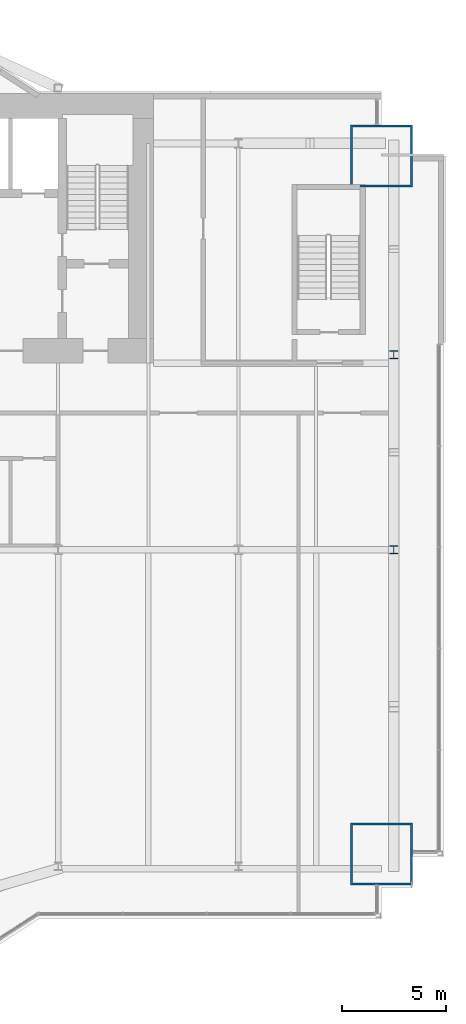
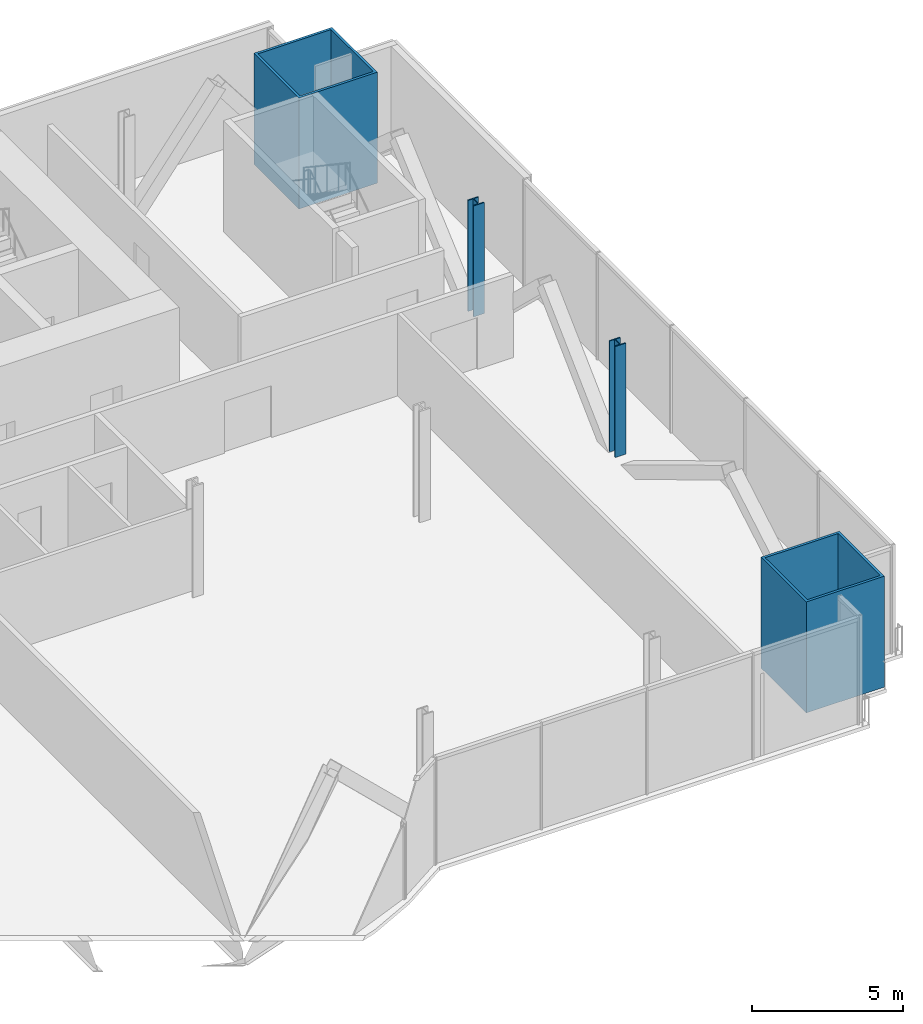
# One storey, part 3 of 21: 4 columns.
"""IFC4 building model written with IfcOpenShell, lengths in metres."""

import ifcopenshell
import ifcopenshell.guid

model = None  # the IFC model being written
_history = None  # IfcOwnerHistory: only IFC2X3 demands one
_inside = {}  # id of a spatial element -> (the spatial element, [elements in it])
_under = {}  # id of a project, library or spatial element -> (it, [spatial elements below it])
_declared = {}  # id of a project -> (the project, [libraries it declares])
_typed = {}  # id of a type object -> (the type object, [elements of that type])
_made_of = {}  # id of a material, layer set ... -> (it, [elements and type objects made of it])


def new_model(schema):
    """Start an empty IFC model of exactly this schema.

    Asked for "IFC4X3", IfcOpenShell would pick the latest addendum, in which some entities
    have other attributes; the version numbers below select the first issue.
    IFC2X3 requires an IfcOwnerHistory on every rooted entity: one is made here for all.
    """
    global model, _history
    if schema == "IFC4X3":
        model = ifcopenshell.file(schema_version=(4, 3, 0, 0))
    else:
        model = ifcopenshell.file(schema=schema)
    _inside.clear()
    _under.clear()
    _declared.clear()
    _typed.clear()
    _made_of.clear()
    _history = None
    if model.schema == "IFC2X3":
        org = make("IfcOrganization", Name="unknown")
        user = make(
            "IfcPersonAndOrganization",
            ThePerson=make("IfcPerson", FamilyName="unknown"),
            TheOrganization=org,
        )
        app = make(
            "IfcApplication",
            ApplicationDeveloper=org,
            Version="unknown",
            ApplicationFullName="unknown",
            ApplicationIdentifier="unknown",
        )
        _history = make(
            "IfcOwnerHistory",
            OwningUser=user,
            OwningApplication=app,
            ChangeAction="ADDED",
            CreationDate=0,
        )
    return model


def make(cls, **values):
    """One entity of the class cls with the attributes given. An attribute that is None is left unset."""
    return model.create_entity(
        cls, **{name: value for name, value in values.items() if value is not None}
    )


def rooted(cls, **values):
    """An entity with a GlobalId (a new one), such as an element, a storey or a relation."""
    return make(cls, GlobalId=ifcopenshell.guid.new(), OwnerHistory=_history, **values)


def si_unit(unit_type, name, prefix=None):
    """IfcSIUnit, for example si_unit("LENGTHUNIT", "METRE", prefix="MILLI")."""
    return make("IfcSIUnit", UnitType=unit_type, Prefix=prefix, Name=name)


def assignment(units):
    """IfcUnitAssignment: the units of a project."""
    return None if units is None else make("IfcUnitAssignment", Units=units)


def point(xyz):
    """IfcCartesianPoint."""
    return None if xyz is None else make("IfcCartesianPoint", Coordinates=xyz)


def direction(xyz):
    """IfcDirection."""
    return None if xyz is None else make("IfcDirection", DirectionRatios=xyz)


def frame(location, z_axis=None, x_axis=None):
    """IfcAxis2Placement3D, a coordinate frame: its origin and axes. An axis left out is left unset."""
    return make(
        "IfcAxis2Placement3D",
        Location=point(location),
        Axis=direction(z_axis),
        RefDirection=direction(x_axis),
    )


def frame_2d(location, x_axis=None):
    """IfcAxis2Placement2D, a coordinate frame in the plane: its origin and x axis."""
    return make(
        "IfcAxis2Placement2D", Location=point(location), RefDirection=direction(x_axis)
    )


def origin():
    """The frame at (0, 0, 0) with its axes left unset."""
    return frame((0.0, 0.0, 0.0))


def origin_2d():
    """The frame at (0, 0) in the plane with its x axis left unset."""
    return frame_2d((0.0, 0.0))


def place(relative_to, where):
    """IfcLocalPlacement: puts the frame where relative to a parent placement (None: the world)."""
    return make(
        "IfcLocalPlacement", PlacementRelTo=relative_to, RelativePlacement=where
    )


def context(
    kind, dimensions, precision=None, world=None, true_north=None, identifier=None
):
    """IfcGeometricRepresentationContext, for example the 3D "Model" context."""
    return make(
        "IfcGeometricRepresentationContext",
        ContextIdentifier=identifier,
        ContextType=kind,
        CoordinateSpaceDimension=dimensions,
        Precision=precision,
        WorldCoordinateSystem=world,
        TrueNorth=true_north,
    )


def subcontext(parent, identifier, kind, view, scale=None):
    """IfcGeometricRepresentationSubContext, for example "Body" below "Model"."""
    return make(
        "IfcGeometricRepresentationSubContext",
        ContextIdentifier=identifier,
        ContextType=kind,
        ParentContext=parent,
        TargetScale=scale,
        TargetView=view,
    )


def project(units=None, contexts=None):
    """IfcProject with its units and contexts."""
    return rooted(
        "IfcProject",
        Name="project",
        RepresentationContexts=contexts,
        UnitsInContext=assignment(units),
    )


def spatial(cls, under=None, at=None, **own):
    """A site, building, storey or space (cls), placed at a placement, below another one or the project."""
    s = rooted(cls, ObjectPlacement=at, **own)
    if under is not None:
        _under.setdefault(under.id(), (under, []))[1].append(s)
    return s


def profile(cls, at=None, kind="AREA", **sizes):
    """A parametric profile (cls). Its sizes go by their IFC names, for example OverallWidth=200.0."""
    return make(cls, ProfileType=kind, Position=at, **sizes)


def hollow_rectangle(**sizes):
    """IfcRectangleHollowProfileDef."""
    return profile("IfcRectangleHollowProfileDef", **sizes)


def i_section(**sizes):
    """IfcIShapeProfileDef."""
    return profile("IfcIShapeProfileDef", **sizes)


def extrude(swept, where, along, depth):
    """IfcExtrudedAreaSolid: the profile swept, set in the frame where, extruded along a direction by depth."""
    return make(
        "IfcExtrudedAreaSolid",
        SweptArea=swept,
        Position=where,
        ExtrudedDirection=direction(along),
        Depth=depth,
    )


def shape(context_of_items, identifier, shape_type, items):
    """IfcShapeRepresentation: the items that make up one representation, for example the "Body"."""
    return make(
        "IfcShapeRepresentation",
        ContextOfItems=context_of_items,
        RepresentationIdentifier=identifier,
        RepresentationType=shape_type,
        Items=items,
    )


def material(Name=None, Category=None):
    """IfcMaterial."""
    return make("IfcMaterial", Name=Name, Category=Category)


def material_profile(
    of_material, cross_section, Name=None, Category=None, Priority=None
):
    """IfcMaterialProfile: a cross section and its material."""
    return make(
        "IfcMaterialProfile",
        Name=Name,
        Material=of_material,
        Profile=cross_section,
        Priority=Priority,
        Category=Category,
    )


def profile_set(profiles, Name=None, composite=None):
    """IfcMaterialProfileSet."""
    return make(
        "IfcMaterialProfileSet",
        Name=Name,
        MaterialProfiles=profiles,
        CompositeProfile=composite,
    )


def made_of(thing, what):
    """Note that an element or type object is made of a material, layer set ...; save() writes the relation."""
    if what is not None:
        _made_of.setdefault(what.id(), (what, []))[1].append(thing)
    return thing


def type_object(cls, material=None, **own):
    """A type object (cls), such as IfcWallType, which elements share."""
    return made_of(rooted(cls, **own), material)


def element(
    cls,
    number,
    at=None,
    inside=None,
    cuts=None,
    type_object=None,
    material=None,
    context=None,
    identifier="Body",
    shape_type=None,
    held_by="IfcProductDefinitionShape",
    body=None,
    shapes=None,
    **own,
):
    """One element of the class cls, such as IfcWall. Its Tag is "e" and its number.

    at: its placement. inside: the storey or other place that contains it. cuts: it is an
    opening in that element (IfcRelVoidsElement). A single representation is given by context,
    identifier, shape_type and body (its items); several are given by shapes. held_by: the class
    of the entity that holds the representations. save() writes the other relations.
    """
    e = rooted(cls, Tag="e%d" % number, ObjectPlacement=at, **own)
    if body is not None:
        shapes = [shape(context, identifier, shape_type, body)]
    if shapes is not None:
        e.Representation = make(held_by, Representations=shapes)
    if inside is not None:
        _inside.setdefault(inside.id(), (inside, []))[1].append(e)
    if cuts is not None:
        rooted(
            "IfcRelVoidsElement", RelatingBuildingElement=cuts, RelatedOpeningElement=e
        )
    if type_object is not None:
        _typed.setdefault(type_object.id(), (type_object, []))[1].append(e)
    return made_of(e, material)


def aggregate(whole, parts):
    """IfcRelAggregates: a whole, such as a stair, and the parts it consists of."""
    return rooted("IfcRelAggregates", RelatingObject=whole, RelatedObjects=parts)


def save(model, path):
    """Write the relations noted so far, then the file.

    IfcRelAggregates (storeys below a building ...), IfcRelContainedInSpatialStructure (elements
    in a storey), IfcRelDefinesByType, IfcRelAssociatesMaterial and IfcRelDeclares: one each for
    every whole, place, type object, material and project.
    """
    for whole, parts in _under.values():
        aggregate(whole, parts)
    for where, things in _inside.values():
        rooted(
            "IfcRelContainedInSpatialStructure",
            RelatedElements=things,
            RelatingStructure=where,
        )
    for kind, things in _typed.values():
        rooted("IfcRelDefinesByType", RelatedObjects=things, RelatingType=kind)
    for what, things in _made_of.values():
        rooted("IfcRelAssociatesMaterial", RelatedObjects=things, RelatingMaterial=what)
    for by, libraries in _declared.values():
        rooted("IfcRelDeclares", RelatingContext=by, RelatedDefinitions=libraries)
    model.write(path)


model = new_model("IFC4")

# Units and contexts
model_context = context("Model", 3, precision=1e-05, world=origin(), true_north=direction((0.0, 1.0)))
body_context = subcontext(model_context, "Body", "Model", "MODEL_VIEW")
ifc_project = project(units=[si_unit("LENGTHUNIT", "METRE"), si_unit("AREAUNIT", "SQUARE_METRE"), si_unit("VOLUMEUNIT", "CUBIC_METRE"), si_unit("PLANEANGLEUNIT", "RADIAN"), si_unit("MASSUNIT", "GRAM", prefix="KILO")], contexts=[model_context])

# Site, building, storey
site_placement = place(None, origin())
site = spatial("IfcSite", under=ifc_project, at=site_placement, CompositionType="ELEMENT")
building_placement = place(site_placement, origin())
building = spatial("IfcBuilding", under=site, at=building_placement, Name="Bicima Exchange Tower", CompositionType="ELEMENT")
storey_placement = place(building_placement, frame((0.0, 0.0, 75.5)))
storey = spatial("IfcBuildingStorey", under=building, at=storey_placement, Name="L15", CompositionType="ELEMENT", Elevation=75.5)

# Columns
ifc_material_1 = material(Name="Steel ASTM A572 Gr 50", Category="steel")
ifc_material_profile_1 = material_profile(ifc_material_1, hollow_rectangle(XDim=3.0, YDim=3.0, WallThickness=0.10009765625, at=origin_2d()))
ifc_profile_set_1 = profile_set([ifc_material_profile_1], Name="Steel ASTM A572 Gr 50")
column_type_1 = type_object("IfcColumnType", Name="Mega column BOX 3000x3000x100", PredefinedType="COLUMN", material=ifc_profile_set_1)
for number, where, z_axis, x_axis, name in (
    (1, (33.0, -36.681884765625, 0.0), (0.0, 0.0, 1.0), (1.0, 0.0, 0.0), "Mega column mega+33.0f"),
    (2, (33.0, -3.0, 0.0), (0.0, 0.0, 1.0), (1.0, 0.0, 0.0), "Mega column mega+33.0r"),
):
    element("IfcColumn", number, at=place(storey_placement, frame(where, z_axis=z_axis, x_axis=x_axis)), inside=storey, type_object=column_type_1, Name=name, PredefinedType="COLUMN", context=body_context, shape_type="SweptSolid", body=[
        extrude(hollow_rectangle(XDim=3.0, YDim=3.0, WallThickness=0.10009765625, at=origin_2d()), origin(), (0.0, 0.0, 1.0), 4.5),
    ])
ifc_material_2 = material(Name="Steel ASTM A992 Gr 50", Category="steel")
ifc_material_profile_2 = material_profile(ifc_material_2, i_section(OverallWidth=0.406494140625, OverallDepth=0.41650390625, WebThickness=0.030029296875, FlangeThickness=0.048095703125, at=origin_2d()))
ifc_profile_set_2 = profile_set([ifc_material_profile_2], Name="Steel ASTM A992 Gr 50")
column_type_2 = type_object("IfcColumnType", Name="Perimeter column W14x257", PredefinedType="COLUMN", material=ifc_profile_set_2)
for number, where, z_axis, x_axis, name in (
    (3, (33.60009765625, -12.60009765625, 0.0), (0.0, 0.0, 1.0), (1.0, 0.0, 0.0), "End column end+33.6e"),
    (4, (33.60009765625, -22.0, 0.0), (0.0, 0.0, 1.0), (1.0, 0.0, 0.0), "End column end+33.6e"),
):
    element("IfcColumn", number, at=place(storey_placement, frame(where, z_axis=z_axis, x_axis=x_axis)), inside=storey, type_object=column_type_2, Name=name, PredefinedType="COLUMN", context=body_context, shape_type="SweptSolid", body=[
        extrude(i_section(OverallWidth=0.406494140625, OverallDepth=0.41650390625, WebThickness=0.030029296875, FlangeThickness=0.048095703125, at=origin_2d()), origin(), (0.0, 0.0, 1.0), 4.5),
    ])

save(model, "model.ifc")
